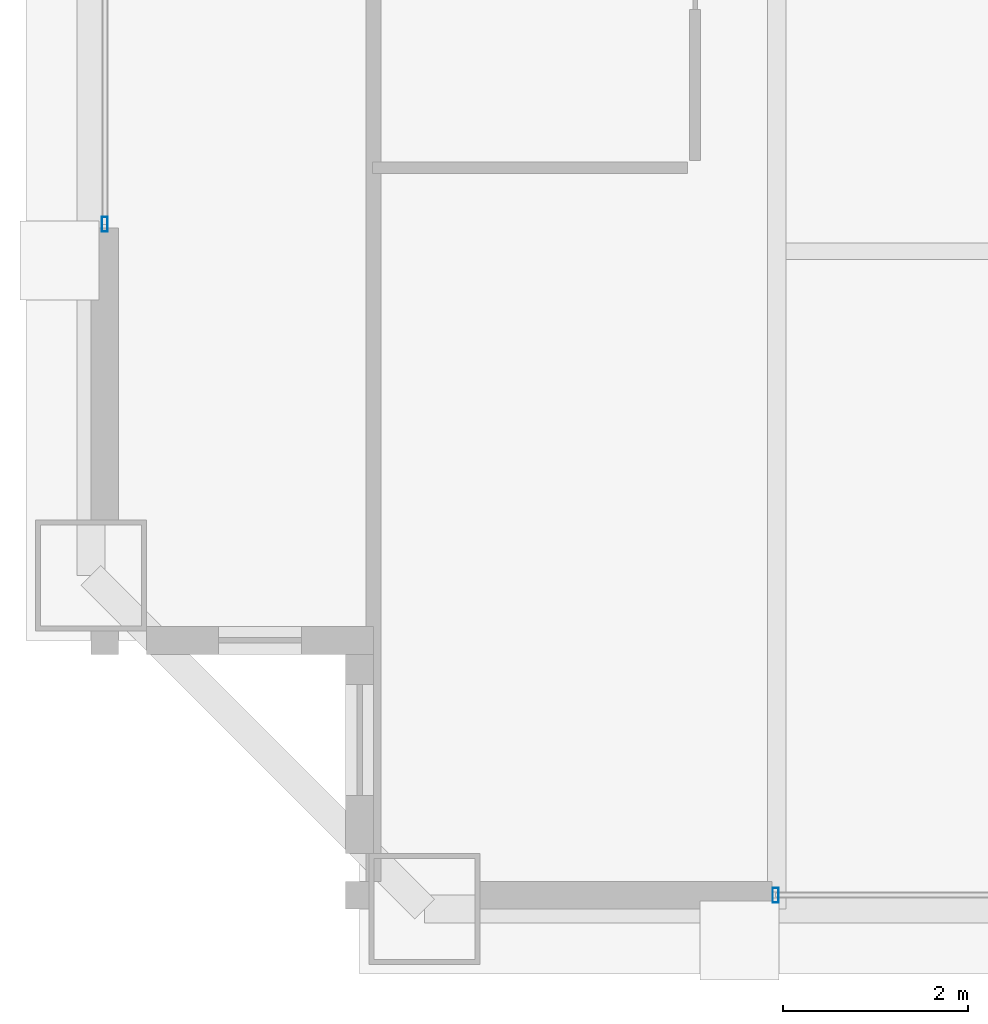
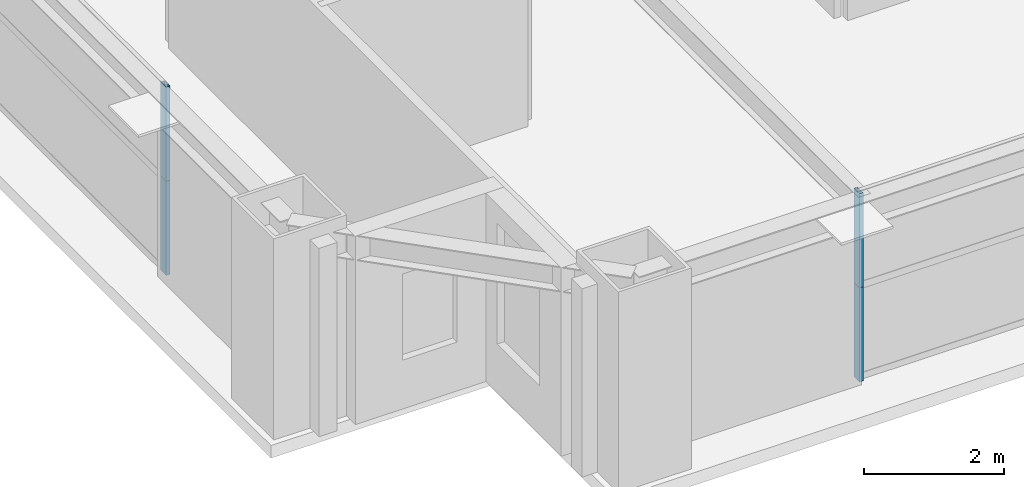
# One storey, part 4 of 37: 4 members, 2 elements without a shape of their own.
"""IFC4 building model written with IfcOpenShell, lengths in metres."""

from ifc_helpers import new_model, si_unit, direction, frame, origin, origin_2d, place, context, subcontext, project, spatial, hollow_rectangle, extrude, source, transform, mapped, material, layer, layer_set, material_profile, profile_set, type_object, element, aggregate, save


model = new_model("IFC4")

# Units and contexts
model_context = context("Model", 3, precision=1e-05, world=origin(), true_north=direction((0.0, 1.0)))
body_context = subcontext(model_context, "Body", "Model", "MODEL_VIEW")
ifc_project = project(units=[si_unit("LENGTHUNIT", "METRE"), si_unit("AREAUNIT", "SQUARE_METRE"), si_unit("VOLUMEUNIT", "CUBIC_METRE"), si_unit("PLANEANGLEUNIT", "RADIAN"), si_unit("MASSUNIT", "GRAM", prefix="KILO"), si_unit("THERMODYNAMICTEMPERATUREUNIT", "KELVIN"), si_unit("POWERUNIT", "WATT")], contexts=[model_context])

# Site, building, storey
site_placement = place(None, origin())
site = spatial("IfcSite", under=ifc_project, at=site_placement, CompositionType="ELEMENT")
building_placement = place(site_placement, origin())
building = spatial("IfcBuilding", under=site, at=building_placement, Name="Yuzanri Waterfront Tower", CompositionType="ELEMENT")
storey_placement = place(building_placement, frame((0.0, 0.0, 275.10009765625)))
storey = spatial("IfcBuildingStorey", under=building, at=storey_placement, Name="L73", CompositionType="ELEMENT", Elevation=275.10009765625)

# Curtain wall, members
ifc_material_1 = material(Name="Anodized Architectural Bronze", Category="metal")
ifc_layer = layer(ifc_material_1, 0.159912109375)
ifc_layer_set = layer_set([ifc_layer], Name="Anodized Architectural Bronze")
curtain_wall_type = type_object("IfcCurtainWallType", Name="Anodized Bronze Mid-Rise Residential Acoustic Unitized Curtain Wall 7200", PredefinedType="NOTDEFINED", material=ifc_layer_set)
curtain_wall_1_placement = place(storey_placement, origin())
curtain_wall_1 = element("IfcCurtainWall", 1, at=curtain_wall_1_placement, inside=storey, type_object=curtain_wall_type, Name="L73 Curtain Wall CW-L73-SL", PredefinedType="NOTDEFINED")
ifc_material_2 = material(Name="Anodized Architectural Bronze", Category="metal")
ifc_material_profile = material_profile(ifc_material_2, hollow_rectangle(XDim=0.06494140625, YDim=0.159912109375, WallThickness=0.00341796875, at=origin_2d()), Name="CWM 65x160")
ifc_profile_set = profile_set([ifc_material_profile], Name="Anodized Architectural Bronze")
member_type = type_object("IfcMemberType", Name="Anodized Bronze Upper-Zone Curtain-Wall Mullion 65x160", PredefinedType="MULLION", material=ifc_profile_set)
shared_shape = source(origin(), body_context, "Body", "SweptSolid", [
    extrude(hollow_rectangle(XDim=0.06494140625, YDim=0.159912109375, WallThickness=0.00341796875, at=origin_2d()), origin(), (0.0, 0.0, 1.0), 1.637939453125),
])
member_1_placement = place(storey_placement, frame((23.7900390625, 5.35009765625, 0.0), z_axis=(0.0, 0.0, 1.0), x_axis=(1.0, 0.0, 0.0)))
member_1 = element("IfcMember", 2, at=member_1_placement, type_object=member_type, Name="CW-L73-SL Lower Mullion 00", PredefinedType="MULLION", context=body_context, shape_type="MappedRepresentation", body=[
    mapped(shared_shape, transform((0.0, 0.0, 0.0), scale=1.0)),
])
member_2_placement = place(storey_placement, frame((23.7900390625, 5.35009765625, 1.641845703125), z_axis=(0.0, 0.0, 1.0), x_axis=(1.0, 0.0, 0.0)))
member_2 = element("IfcMember", 3, at=member_2_placement, type_object=member_type, Name="CW-L73-SL Upper Mullion 00", PredefinedType="MULLION", context=body_context, shape_type="MappedRepresentation", body=[
    mapped(shared_shape, transform((0.0, 0.0, 0.0), scale=1.0)),
])
aggregate(curtain_wall_1, [member_1, member_2])

curtain_wall_2_placement = place(storey_placement, origin())
curtain_wall_2 = element("IfcCurtainWall", 4, at=curtain_wall_2_placement, inside=storey, type_object=curtain_wall_type, Name="L73 Curtain Wall CW-L73-WL", PredefinedType="NOTDEFINED")
member_3_placement = place(storey_placement, frame((16.550048828125, 12.590087890625, 0.0), z_axis=(0.0, 0.0, 1.0), x_axis=(1.0, 0.0, 0.0)))
member_3 = element("IfcMember", 5, at=member_3_placement, type_object=member_type, Name="CW-L73-WL Lower Mullion 00", PredefinedType="MULLION", context=body_context, shape_type="MappedRepresentation", body=[
    mapped(shared_shape, transform((0.0, 0.0, 0.0), scale=1.0)),
])
member_4_placement = place(storey_placement, frame((16.550048828125, 12.590087890625, 1.641845703125), z_axis=(0.0, 0.0, 1.0), x_axis=(1.0, 0.0, 0.0)))
member_4 = element("IfcMember", 6, at=member_4_placement, type_object=member_type, Name="CW-L73-WL Upper Mullion 00", PredefinedType="MULLION", context=body_context, shape_type="MappedRepresentation", body=[
    mapped(shared_shape, transform((0.0, 0.0, 0.0), scale=1.0)),
])
aggregate(curtain_wall_2, [member_3, member_4])

save(model, "model.ifc")
